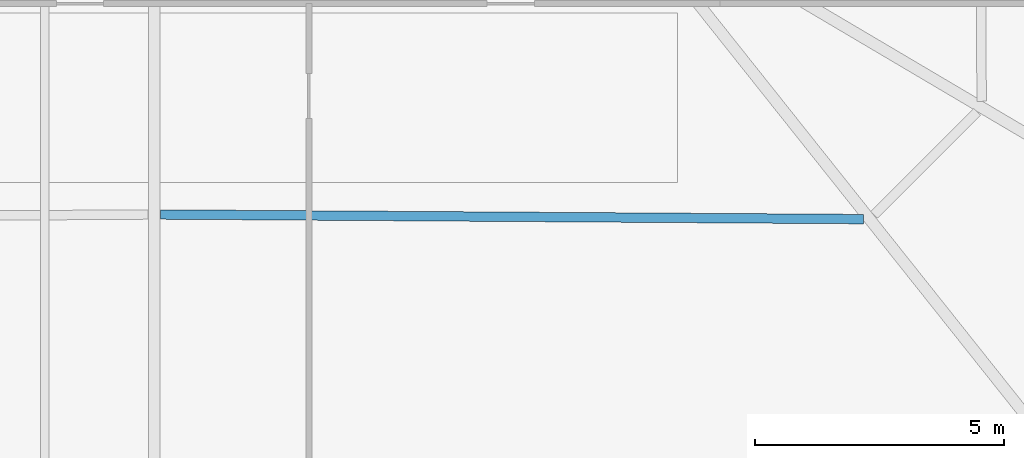
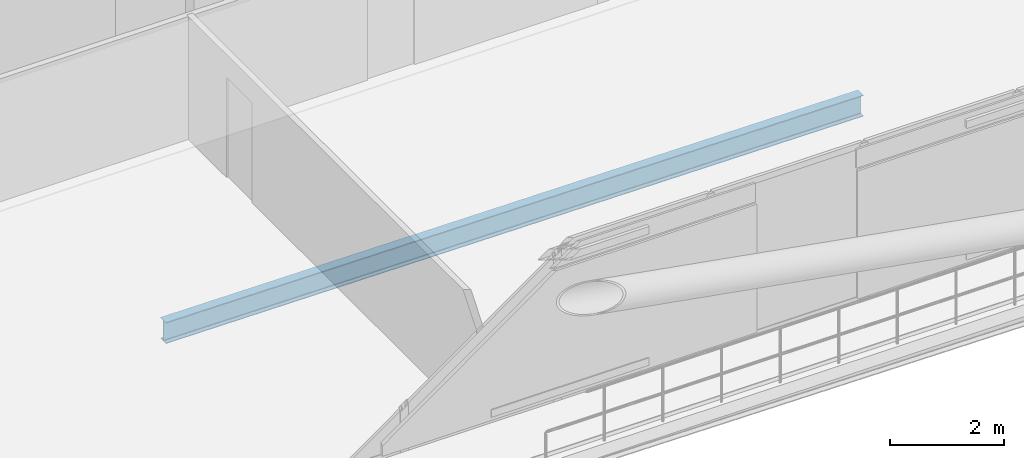
# One storey, part 12 of 34: 1 beam.
"""IFC4 building model written with IfcOpenShell, lengths in metres."""

from ifc_helpers import new_model, si_unit, direction, frame, origin, origin_2d, place, context, subcontext, project, spatial, i_section, extrude, material, material_profile, profile_set, type_object, element, save


model = new_model("IFC4")

# Units and contexts
model_context = context("Model", 3, precision=1e-05, world=origin(), true_north=direction((0.0, 1.0)))
body_context = subcontext(model_context, "Body", "Model", "MODEL_VIEW")
ifc_project = project(units=[si_unit("LENGTHUNIT", "METRE"), si_unit("AREAUNIT", "SQUARE_METRE"), si_unit("VOLUMEUNIT", "CUBIC_METRE"), si_unit("PLANEANGLEUNIT", "RADIAN"), si_unit("MASSUNIT", "GRAM", prefix="KILO")], contexts=[model_context])

# Site, building, storey
site_placement = place(None, origin())
site = spatial("IfcSite", under=ifc_project, at=site_placement, CompositionType="ELEMENT")
building_placement = place(site_placement, origin())
building = spatial("IfcBuilding", under=site, at=building_placement, Name="Caelvoria Tower", CompositionType="ELEMENT")
storey_placement = place(building_placement, frame((0.0, 0.0, 28.0)))
storey = spatial("IfcBuildingStorey", under=building, at=storey_placement, Name="L06", CompositionType="ELEMENT", Elevation=28.0)

# Beam
ifc_material = material(Name="Structural Steel ASTM A992 Gr.50", Category="steel")
ifc_material_profile = material_profile(ifc_material, i_section(OverallWidth=0.18994140625, OverallDepth=0.45703125, WebThickness=0.009033203125, FlangeThickness=0.014404296875, FilletRadius=0.014892578125, at=origin_2d()), Name="Structural Steel ASTM A992 Gr.50")
ifc_profile_set = profile_set([ifc_material_profile], Name="W460X74 - Structural Steel ASTM A992 Gr.50")
beam_type = type_object("IfcBeamType", Name="Secondary Floor Beam W460X74", PredefinedType="BEAM", material=ifc_profile_set)
beam_placement = place(storey_placement, frame((46.125, 17.359130859375, -0.548583984375), z_axis=(0.999978260442, -0.006593833805, 0.0), x_axis=(0.006593833805, 0.999978260442, 0.0)))
element("IfcBeam", 1, at=beam_placement, inside=storey, type_object=beam_type, Name="Secondary Floor Beam L06-01", PredefinedType="BEAM", context=body_context, shape_type="SweptSolid", body=[
    extrude(i_section(OverallWidth=0.18994140625, OverallDepth=0.45703125, WebThickness=0.009033203125, FlangeThickness=0.014404296875, FilletRadius=0.014892578125, at=origin_2d()), origin(), (0.0, 0.0, 1.0), 14.106689453125),
])

save(model, "model.ifc")
